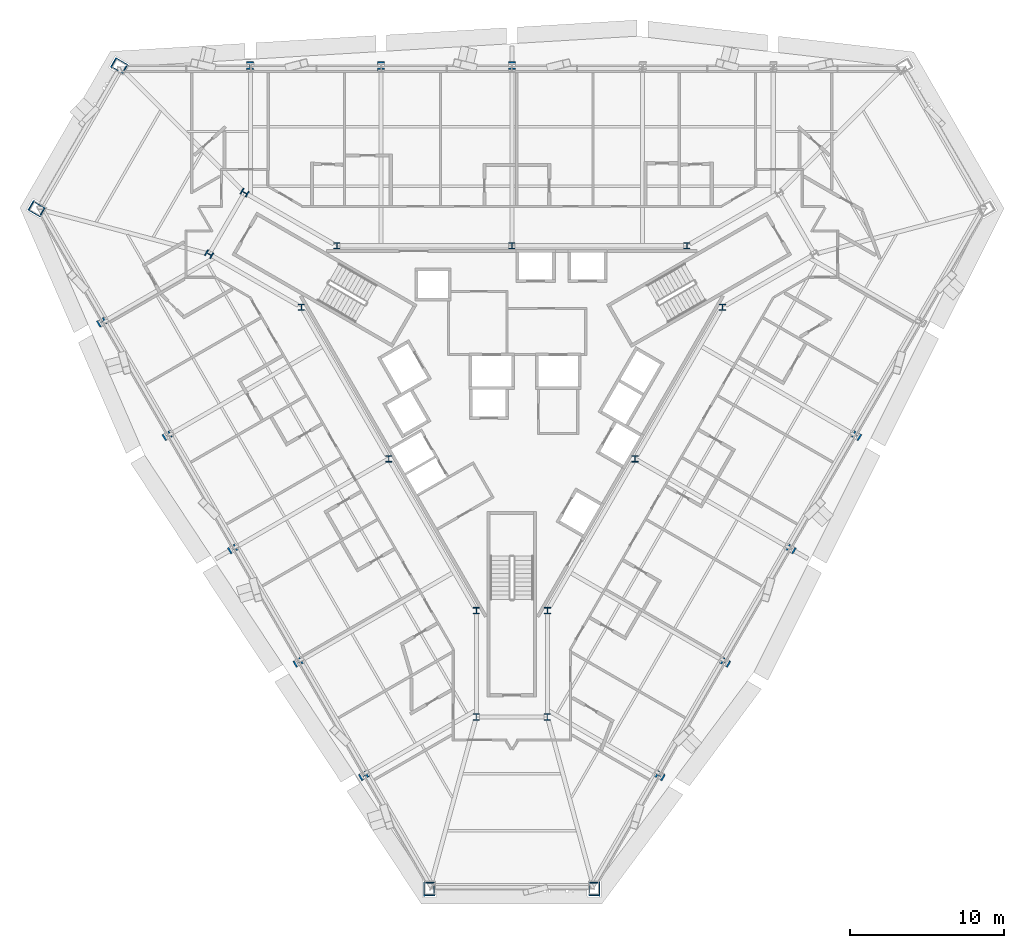
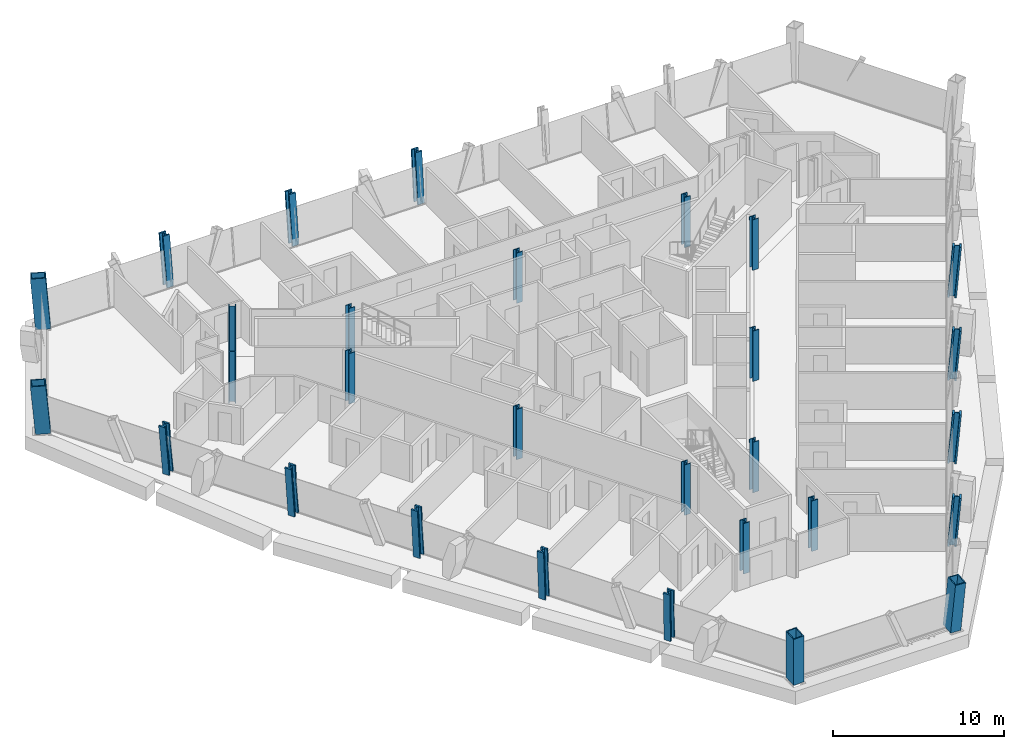
# One storey, part 1 of 15: 29 columns.
"""IFC4 building model written with IfcOpenShell, lengths in metres."""

from ifc_helpers import new_model, si_unit, direction, frame, origin, origin_2d, place, context, subcontext, project, spatial, hollow_rectangle, i_section, extrude, material, material_profile, profile_set, type_object, element, save


model = new_model("IFC4")

# Units and contexts
model_context = context("Model", 3, precision=1e-05, world=origin(), true_north=direction((0.0, 1.0)))
body_context = subcontext(model_context, "Body", "Model", "MODEL_VIEW")
ifc_project = project(units=[si_unit("LENGTHUNIT", "METRE"), si_unit("AREAUNIT", "SQUARE_METRE"), si_unit("VOLUMEUNIT", "CUBIC_METRE"), si_unit("PLANEANGLEUNIT", "RADIAN"), si_unit("MASSUNIT", "GRAM", prefix="KILO")], contexts=[model_context])

# Site, building, storey
site_placement = place(None, origin())
site = spatial("IfcSite", under=ifc_project, at=site_placement, CompositionType="ELEMENT")
building_placement = place(site_placement, origin())
building = spatial("IfcBuilding", under=site, at=building_placement, Name="Verrane Prism Tower", CompositionType="ELEMENT")
storey_placement = place(building_placement, frame((0.0, 0.0, 44.0)))
storey = spatial("IfcBuildingStorey", under=building, at=storey_placement, Name="L08", CompositionType="ELEMENT", Elevation=44.0)

# Columns
ifc_material_1 = material(Name="Steel A992", Category="steel")
ifc_material_profile_1 = material_profile(ifc_material_1, i_section(OverallWidth=0.419189453125, OverallDepth=0.45458984375, WebThickness=0.042236328125, FlangeThickness=0.067626953125, FilletRadius=0.01513671875, at=origin_2d()), Name="W14x370")
ifc_profile_set_1 = profile_set([ifc_material_profile_1], Name="Steel A992")
column_type_1 = type_object("IfcColumnType", Name="Core corner column W14x370", PredefinedType="COLUMN", material=ifc_profile_set_1)
for number, where, z_axis, x_axis, name in (
    (1, (-17.300048828125, 12.639892578125, 0.0), (0.0, 0.0, 1.0), (0.5, 0.866025403784, 0.0), "Core corner column CK-NWm L08"),
    (2, (-19.60009765625, 8.659912109375, 0.0), (0.0, 0.0, 1.0), (0.5, 0.866025403784, 0.0), "Core corner column CK-NWp L08"),
    (3, (-2.300048828125, -21.300048828125, 0.0), (0.0, 0.0, 1.0), (-1.0, 0.0, 0.0), "Core corner column CK-Sm L08"),
    (4, (2.300048828125, -21.300048828125, 0.0), (0.0, 0.0, 1.0), (-1.0, 0.0, 0.0), "Core corner column CK-Sp L08"),
):
    element("IfcColumn", number, at=place(storey_placement, frame(where, z_axis=z_axis, x_axis=x_axis)), inside=storey, type_object=column_type_1, Name=name, PredefinedType="COLUMN", context=body_context, shape_type="SweptSolid", body=[
        extrude(i_section(OverallWidth=0.419189453125, OverallDepth=0.45458984375, WebThickness=0.042236328125, FlangeThickness=0.067626953125, FilletRadius=0.01513671875, at=origin_2d()), origin(), (0.0, 0.0, 1.0), 3.60009765625),
    ])
ifc_material_2 = material(Name="Steel A992", Category="steel")
ifc_material_profile_2 = material_profile(ifc_material_2, i_section(OverallWidth=0.406494140625, OverallDepth=0.41650390625, WebThickness=0.030029296875, FlangeThickness=0.048095703125, FilletRadius=0.01513671875, at=origin_2d()), Name="W14x257")
ifc_profile_set_2 = profile_set([ifc_material_profile_2], Name="Steel A992")
column_type_2 = type_object("IfcColumnType", Name="Core side column W14x257", PredefinedType="COLUMN", material=ifc_profile_set_2)
for number, where, z_axis, x_axis, name in (
    (5, (13.6298828125, 5.219970703125, 0.0), (0.0, 0.0, 1.0), (1.0, 0.0, 0.0), "Core side column CC-NEm L08"),
    (6, (11.330078125, 9.199951171875, 0.0), (0.0, 0.0, 1.0), (1.0, 0.0, 0.0), "Core side column CC-NEp L08"),
    (7, (0.0, 9.199951171875, 0.0), (0.0, 0.0, 1.0), (1.0, 0.0, 0.0), "Core side column CC-N0 L08"),
    (8, (-11.330078125, 9.199951171875, 0.0), (0.0, 0.0, 1.0), (1.0, 0.0, 0.0), "Core side column CC-NWm L08"),
    (9, (-13.6298828125, 5.219970703125, 0.0), (0.0, 0.0, 1.0), (1.0, 0.0, 0.0), "Core side column CC-NWp L08"),
    (10, (-7.969970703125, -4.60009765625, 0.0), (0.0, 0.0, 1.0), (1.0, 0.0, 0.0), "Core side column CC-SW0 L08"),
    (11, (-2.300048828125, -14.419921875, 0.0), (0.0, 0.0, 1.0), (1.0, 0.0, 0.0), "Core side column CC-Sm L08"),
    (12, (2.300048828125, -14.419921875, 0.0), (0.0, 0.0, 1.0), (1.0, 0.0, 0.0), "Core side column CC-Sp L08"),
    (13, (7.969970703125, -4.60009765625, 0.0), (0.0, 0.0, 1.0), (1.0, 0.0, 0.0), "Core side column CC-SE0 L08"),
):
    element("IfcColumn", number, at=place(storey_placement, frame(where, z_axis=z_axis, x_axis=x_axis)), inside=storey, type_object=column_type_2, Name=name, PredefinedType="COLUMN", context=body_context, shape_type="SweptSolid", body=[
        extrude(i_section(OverallWidth=0.406494140625, OverallDepth=0.41650390625, WebThickness=0.030029296875, FlangeThickness=0.048095703125, FilletRadius=0.01513671875, at=origin_2d()), origin(), (0.0, 0.0, 1.0), 3.60009765625),
    ])
ifc_material_3 = material(Name="Steel A572 Grade 50", Category="steel")
ifc_material_profile_3 = material_profile(ifc_material_3, hollow_rectangle(XDim=0.699951171875, YDim=0.89990234375, WallThickness=0.06494140625, at=origin_2d()), Name="BOX 900x700x65")
ifc_profile_set_3 = profile_set([ifc_material_profile_3], Name="Steel A572 Grade 50")
column_type_3 = type_object("IfcColumnType", Name="Megacolumn BOX 900x700x65", PredefinedType="COLUMN", material=ifc_profile_set_3)
for number, where, z_axis, x_axis, name in (
    (14, (-25.3720703125, 20.773193359375, 0.0400390625), (-0.049772291919, 0.082976830634, 0.995307773774), (0.499550777014, 0.86500147592, -0.047132449981), "Megacolumn MC-NW.a L08"),
    (15, (-30.673828125, 11.590087890625, 0.0400390625), (-0.096783070485, 0.0, 0.995305499466), (0.49940885804, 0.865004332753, 0.048562298444), "Megacolumn MC-NW.b L08"),
):
    element("IfcColumn", number, at=place(storey_placement, frame(where, z_axis=z_axis, x_axis=x_axis)), inside=storey, type_object=column_type_3, Name=name, PredefinedType="COLUMN", context=body_context, shape_type="SweptSolid", body=[
        extrude(hollow_rectangle(XDim=0.699951171875, YDim=0.89990234375, WallThickness=0.06494140625, at=origin_2d()), origin(), (0.0, 0.0, 1.0), 3.53662109375),
    ])
for number, where, z_axis, x_axis, name in (
    (16, (-5.302001953125, -32.36328125, 0.0400390625), (-0.046948393509, -0.082988189703, 0.995444025908), (-0.998886614297, -0.000712544824, -0.047170160674), "Megacolumn MC-S.a L08"),
    (17, (5.302001953125, -32.36328125, 0.0400390625), (0.046948393509, -0.082988189703, 0.995444025908), (-0.998886614297, 0.000712544824, 0.047170160674), "Megacolumn MC-S.b L08"),
):
    element("IfcColumn", number, at=place(storey_placement, frame(where, z_axis=z_axis, x_axis=x_axis)), inside=storey, type_object=column_type_3, Name=name, PredefinedType="COLUMN", context=body_context, shape_type="SweptSolid", body=[
        extrude(hollow_rectangle(XDim=0.699951171875, YDim=0.89990234375, WallThickness=0.06494140625, at=origin_2d()), origin(), (0.0, 0.0, 1.0), 3.5361328125),
    ])
ifc_material_4 = material(Name="Steel A992", Category="steel")
ifc_material_profile_4 = material_profile(ifc_material_4, i_section(OverallWidth=0.44189453125, OverallDepth=0.53076171875, WebThickness=0.06591796875, FlangeThickness=0.105712890625, FilletRadius=0.01513671875, at=origin_2d()), Name="W14x605")
ifc_profile_set_4 = profile_set([ifc_material_profile_4], Name="Steel A992")
column_type_4 = type_object("IfcColumnType", Name="Perimeter column W14x605", PredefinedType="COLUMN", material=ifc_profile_set_4)
column_1_placement = place(storey_placement, frame((0.0, 20.772216796875, 0.02490234375), z_axis=(0.0, 0.082994433879, 0.99655001076), x_axis=(1.0, 0.0, 0.0)))
element("IfcColumn", 18, at=column_1_placement, inside=storey, type_object=column_type_4, Name="Perimeter column PC-N3 L08", PredefinedType="COLUMN", context=body_context, shape_type="SweptSolid", body=[
    extrude(i_section(OverallWidth=0.44189453125, OverallDepth=0.53076171875, WebThickness=0.06591796875, FlangeThickness=0.105712890625, FilletRadius=0.01513671875, at=origin_2d()), origin(), (0.0, 0.0, 1.0), 3.562255859375),
])
column_2_placement = place(storey_placement, frame((-8.46044921875, 20.772216796875, 0.02490234375), z_axis=(-0.016582899458, 0.082983021668, 0.996412979422), x_axis=(0.999861307838, -0.000158913268, 0.016653523173)))
element("IfcColumn", 19, at=column_2_placement, inside=storey, type_object=column_type_4, Name="Perimeter column PC-N4 L08", PredefinedType="COLUMN", context=body_context, shape_type="SweptSolid", body=[
    extrude(i_section(OverallWidth=0.44189453125, OverallDepth=0.53076171875, WebThickness=0.06591796875, FlangeThickness=0.105712890625, FilletRadius=0.01513671875, at=origin_2d()), origin(), (0.0, 0.0, 1.0), 3.562744140625),
])
column_3_placement = place(storey_placement, frame((-16.9208984375, 20.772216796875, 0.02490234375), z_axis=(-0.030414930255, 0.08295603725, 0.996088965857), x_axis=(0.999534085213, -2.6317342e-05, 0.030522316494)))
element("IfcColumn", 20, at=column_3_placement, inside=storey, type_object=column_type_4, Name="Perimeter column PC-N5 L08", PredefinedType="COLUMN", context=body_context, shape_type="SweptSolid", body=[
    extrude(i_section(OverallWidth=0.44189453125, OverallDepth=0.53076171875, WebThickness=0.06591796875, FlangeThickness=0.105712890625, FilletRadius=0.01513671875, at=origin_2d()), origin(), (0.0, 0.0, 1.0), 3.56396484375),
])
column_4_placement = place(storey_placement, frame((-26.4521484375, 4.269775390625, 0.02490234375), z_axis=(-0.085775681498, -0.013907718326, 0.996217399885), x_axis=(-0.500475890564, 0.865194817097, -0.031013084871)))
element("IfcColumn", 21, at=column_4_placement, inside=storey, type_object=column_type_4, Name="Perimeter column PC-SW1 L08", PredefinedType="COLUMN", context=body_context, shape_type="SweptSolid", body=[
    extrude(i_section(OverallWidth=0.44189453125, OverallDepth=0.53076171875, WebThickness=0.06591796875, FlangeThickness=0.105712890625, FilletRadius=0.01513671875, at=origin_2d()), origin(), (0.0, 0.0, 1.0), 3.5634765625),
])
column_5_placement = place(storey_placement, frame((-22.221923828125, -3.060791015625, 0.02490234375), z_axis=(-0.080308514275, -0.02761461711, 0.996387462515), x_axis=(-0.499182208178, 0.866345153128, -0.016223399441)))
element("IfcColumn", 22, at=column_5_placement, inside=storey, type_object=column_type_4, Name="Perimeter column PC-SW2 L08", PredefinedType="COLUMN", context=body_context, shape_type="SweptSolid", body=[
    extrude(i_section(OverallWidth=0.44189453125, OverallDepth=0.53076171875, WebThickness=0.06591796875, FlangeThickness=0.105712890625, FilletRadius=0.01513671875, at=origin_2d()), origin(), (0.0, 0.0, 1.0), 3.56298828125),
])
for number, where, z_axis, x_axis, name in (
    (23, (-17.99169921875, -10.381103515625, 0.02490234375), (-0.072019656871, -0.044267077392, 0.99642039064), (-0.499538231107, 0.866288572712, 0.002380010802), "Perimeter column PC-SW3 L08"),
    (24, (-13.76171875, -17.71142578125, 0.02490234375), (-0.063592270579, -0.055369132142, 0.996438800092), (-0.500488244377, 0.865592544789, 0.016157464095), "Perimeter column PC-SW4 L08"),
):
    element("IfcColumn", number, at=place(storey_placement, frame(where, z_axis=z_axis, x_axis=x_axis)), inside=storey, type_object=column_type_4, Name=name, PredefinedType="COLUMN", context=body_context, shape_type="SweptSolid", body=[
        extrude(i_section(OverallWidth=0.44189453125, OverallDepth=0.53076171875, WebThickness=0.06591796875, FlangeThickness=0.105712890625, FilletRadius=0.01513671875, at=origin_2d()), origin(), (0.0, 0.0, 1.0), 3.562744140625),
    ])
for number, where, z_axis, x_axis, name in (
    (25, (-9.531494140625, -25.041748046875, 0.02490234375), (-0.055280193141, -0.0691858675, 0.99607098943), (-0.500260579817, 0.865270863032, 0.032337066484), "Perimeter column PC-SW5 L08"),
    (26, (9.531494140625, -25.041748046875, 0.02490234375), (0.055280193141, -0.0691858675, 0.99607098943), (-0.500260579817, -0.865270863032, -0.032337066484), "Perimeter column PC-SE1 L08"),
):
    element("IfcColumn", number, at=place(storey_placement, frame(where, z_axis=z_axis, x_axis=x_axis)), inside=storey, type_object=column_type_4, Name=name, PredefinedType="COLUMN", context=body_context, shape_type="SweptSolid", body=[
        extrude(i_section(OverallWidth=0.44189453125, OverallDepth=0.53076171875, WebThickness=0.06591796875, FlangeThickness=0.105712890625, FilletRadius=0.01513671875, at=origin_2d()), origin(), (0.0, 0.0, 1.0), 3.56396484375),
    ])
for number, where, z_axis, x_axis, name in (
    (27, (13.76171875, -17.71142578125, 0.02490234375), (0.063592270579, -0.055369132142, 0.996438800092), (-0.500488244377, -0.865592544789, -0.016157464095), "Perimeter column PC-SE2 L08"),
    (28, (17.99169921875, -10.381103515625, 0.02490234375), (0.072019656871, -0.044267077392, 0.99642039064), (-0.499538231107, -0.866288572712, -0.002380010802), "Perimeter column PC-SE3 L08"),
):
    element("IfcColumn", number, at=place(storey_placement, frame(where, z_axis=z_axis, x_axis=x_axis)), inside=storey, type_object=column_type_4, Name=name, PredefinedType="COLUMN", context=body_context, shape_type="SweptSolid", body=[
        extrude(i_section(OverallWidth=0.44189453125, OverallDepth=0.53076171875, WebThickness=0.06591796875, FlangeThickness=0.105712890625, FilletRadius=0.01513671875, at=origin_2d()), origin(), (0.0, 0.0, 1.0), 3.562744140625),
    ])
column_6_placement = place(storey_placement, frame((22.221923828125, -3.060791015625, 0.02490234375), z_axis=(0.080308514275, -0.02761461711, 0.996387462515), x_axis=(-0.499182208178, -0.866345153128, 0.016223399441)))
element("IfcColumn", 29, at=column_6_placement, inside=storey, type_object=column_type_4, Name="Perimeter column PC-SE4 L08", PredefinedType="COLUMN", context=body_context, shape_type="SweptSolid", body=[
    extrude(i_section(OverallWidth=0.44189453125, OverallDepth=0.53076171875, WebThickness=0.06591796875, FlangeThickness=0.105712890625, FilletRadius=0.01513671875, at=origin_2d()), origin(), (0.0, 0.0, 1.0), 3.56298828125),
])

save(model, "model.ifc")
